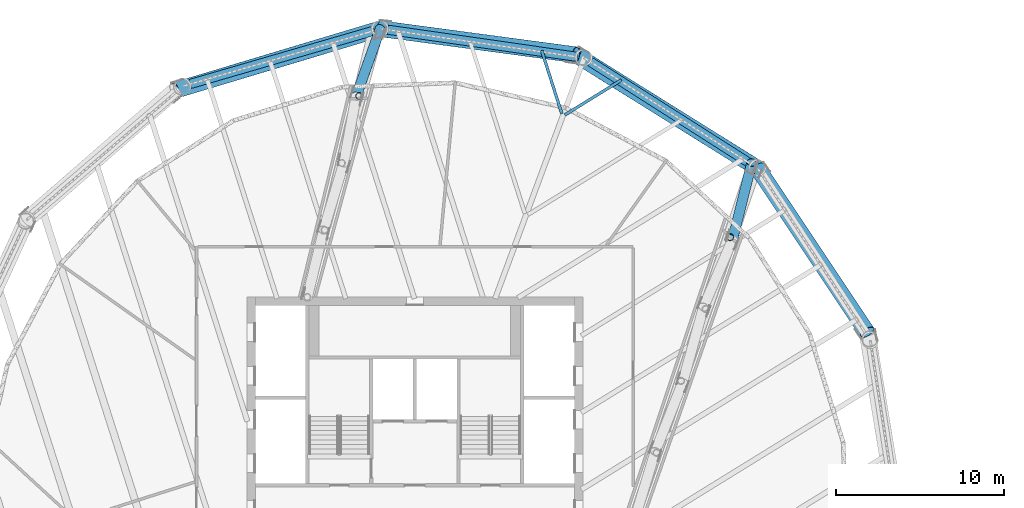
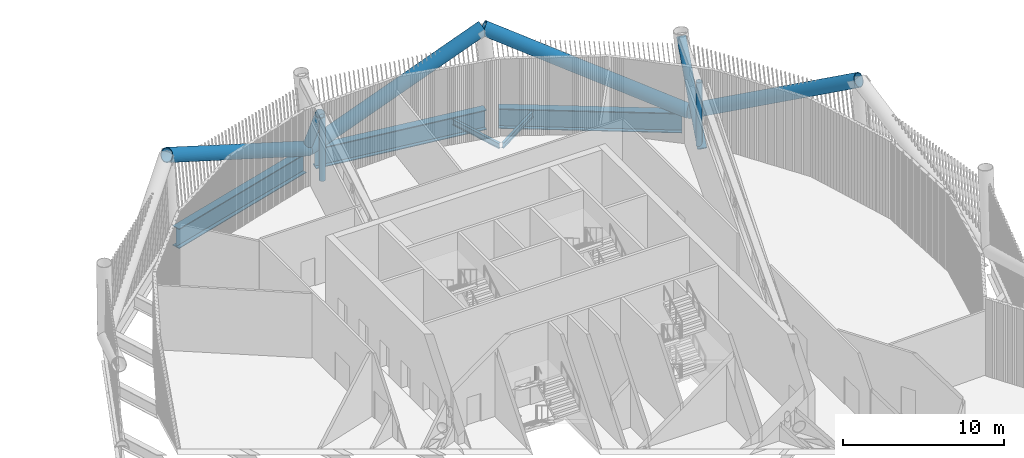
# One storey, part 11 of 40: 8 members, 5 beams.
"""IFC4 building model written with IfcOpenShell, lengths in metres."""

import ifcopenshell
import ifcopenshell.guid

model = None  # the IFC model being written
_history = None  # IfcOwnerHistory: only IFC2X3 demands one
_inside = {}  # id of a spatial element -> (the spatial element, [elements in it])
_under = {}  # id of a project, library or spatial element -> (it, [spatial elements below it])
_declared = {}  # id of a project -> (the project, [libraries it declares])
_typed = {}  # id of a type object -> (the type object, [elements of that type])
_made_of = {}  # id of a material, layer set ... -> (it, [elements and type objects made of it])


def new_model(schema):
    """Start an empty IFC model of exactly this schema.

    Asked for "IFC4X3", IfcOpenShell would pick the latest addendum, in which some entities
    have other attributes; the version numbers below select the first issue.
    IFC2X3 requires an IfcOwnerHistory on every rooted entity: one is made here for all.
    """
    global model, _history
    if schema == "IFC4X3":
        model = ifcopenshell.file(schema_version=(4, 3, 0, 0))
    else:
        model = ifcopenshell.file(schema=schema)
    _inside.clear()
    _under.clear()
    _declared.clear()
    _typed.clear()
    _made_of.clear()
    _history = None
    if model.schema == "IFC2X3":
        org = make("IfcOrganization", Name="unknown")
        user = make(
            "IfcPersonAndOrganization",
            ThePerson=make("IfcPerson", FamilyName="unknown"),
            TheOrganization=org,
        )
        app = make(
            "IfcApplication",
            ApplicationDeveloper=org,
            Version="unknown",
            ApplicationFullName="unknown",
            ApplicationIdentifier="unknown",
        )
        _history = make(
            "IfcOwnerHistory",
            OwningUser=user,
            OwningApplication=app,
            ChangeAction="ADDED",
            CreationDate=0,
        )
    return model


def make(cls, **values):
    """One entity of the class cls with the attributes given. An attribute that is None is left unset."""
    return model.create_entity(
        cls, **{name: value for name, value in values.items() if value is not None}
    )


def rooted(cls, **values):
    """An entity with a GlobalId (a new one), such as an element, a storey or a relation."""
    return make(cls, GlobalId=ifcopenshell.guid.new(), OwnerHistory=_history, **values)


def si_unit(unit_type, name, prefix=None):
    """IfcSIUnit, for example si_unit("LENGTHUNIT", "METRE", prefix="MILLI")."""
    return make("IfcSIUnit", UnitType=unit_type, Prefix=prefix, Name=name)


def assignment(units):
    """IfcUnitAssignment: the units of a project."""
    return None if units is None else make("IfcUnitAssignment", Units=units)


def point(xyz):
    """IfcCartesianPoint."""
    return None if xyz is None else make("IfcCartesianPoint", Coordinates=xyz)


def direction(xyz):
    """IfcDirection."""
    return None if xyz is None else make("IfcDirection", DirectionRatios=xyz)


def frame(location, z_axis=None, x_axis=None):
    """IfcAxis2Placement3D, a coordinate frame: its origin and axes. An axis left out is left unset."""
    return make(
        "IfcAxis2Placement3D",
        Location=point(location),
        Axis=direction(z_axis),
        RefDirection=direction(x_axis),
    )


def frame_2d(location, x_axis=None):
    """IfcAxis2Placement2D, a coordinate frame in the plane: its origin and x axis."""
    return make(
        "IfcAxis2Placement2D", Location=point(location), RefDirection=direction(x_axis)
    )


def origin():
    """The frame at (0, 0, 0) with its axes left unset."""
    return frame((0.0, 0.0, 0.0))


def origin_2d():
    """The frame at (0, 0) in the plane with its x axis left unset."""
    return frame_2d((0.0, 0.0))


def place(relative_to, where):
    """IfcLocalPlacement: puts the frame where relative to a parent placement (None: the world)."""
    return make(
        "IfcLocalPlacement", PlacementRelTo=relative_to, RelativePlacement=where
    )


def context(
    kind, dimensions, precision=None, world=None, true_north=None, identifier=None
):
    """IfcGeometricRepresentationContext, for example the 3D "Model" context."""
    return make(
        "IfcGeometricRepresentationContext",
        ContextIdentifier=identifier,
        ContextType=kind,
        CoordinateSpaceDimension=dimensions,
        Precision=precision,
        WorldCoordinateSystem=world,
        TrueNorth=true_north,
    )


def subcontext(parent, identifier, kind, view, scale=None):
    """IfcGeometricRepresentationSubContext, for example "Body" below "Model"."""
    return make(
        "IfcGeometricRepresentationSubContext",
        ContextIdentifier=identifier,
        ContextType=kind,
        ParentContext=parent,
        TargetScale=scale,
        TargetView=view,
    )


def project(units=None, contexts=None):
    """IfcProject with its units and contexts."""
    return rooted(
        "IfcProject",
        Name="project",
        RepresentationContexts=contexts,
        UnitsInContext=assignment(units),
    )


def spatial(cls, under=None, at=None, **own):
    """A site, building, storey or space (cls), placed at a placement, below another one or the project."""
    s = rooted(cls, ObjectPlacement=at, **own)
    if under is not None:
        _under.setdefault(under.id(), (under, []))[1].append(s)
    return s


def profile(cls, at=None, kind="AREA", **sizes):
    """A parametric profile (cls). Its sizes go by their IFC names, for example OverallWidth=200.0."""
    return make(cls, ProfileType=kind, Position=at, **sizes)


def hollow_circle(**sizes):
    """IfcCircleHollowProfileDef."""
    return profile("IfcCircleHollowProfileDef", **sizes)


def i_section(**sizes):
    """IfcIShapeProfileDef."""
    return profile("IfcIShapeProfileDef", **sizes)


def extrude(swept, where, along, depth):
    """IfcExtrudedAreaSolid: the profile swept, set in the frame where, extruded along a direction by depth."""
    return make(
        "IfcExtrudedAreaSolid",
        SweptArea=swept,
        Position=where,
        ExtrudedDirection=direction(along),
        Depth=depth,
    )


def shape(context_of_items, identifier, shape_type, items):
    """IfcShapeRepresentation: the items that make up one representation, for example the "Body"."""
    return make(
        "IfcShapeRepresentation",
        ContextOfItems=context_of_items,
        RepresentationIdentifier=identifier,
        RepresentationType=shape_type,
        Items=items,
    )


def material(Name=None, Category=None):
    """IfcMaterial."""
    return make("IfcMaterial", Name=Name, Category=Category)


def material_profile(
    of_material, cross_section, Name=None, Category=None, Priority=None
):
    """IfcMaterialProfile: a cross section and its material."""
    return make(
        "IfcMaterialProfile",
        Name=Name,
        Material=of_material,
        Profile=cross_section,
        Priority=Priority,
        Category=Category,
    )


def profile_set(profiles, Name=None, composite=None):
    """IfcMaterialProfileSet."""
    return make(
        "IfcMaterialProfileSet",
        Name=Name,
        MaterialProfiles=profiles,
        CompositeProfile=composite,
    )


def made_of(thing, what):
    """Note that an element or type object is made of a material, layer set ...; save() writes the relation."""
    if what is not None:
        _made_of.setdefault(what.id(), (what, []))[1].append(thing)
    return thing


def type_object(cls, material=None, **own):
    """A type object (cls), such as IfcWallType, which elements share."""
    return made_of(rooted(cls, **own), material)


def element(
    cls,
    number,
    at=None,
    inside=None,
    cuts=None,
    type_object=None,
    material=None,
    context=None,
    identifier="Body",
    shape_type=None,
    held_by="IfcProductDefinitionShape",
    body=None,
    shapes=None,
    **own,
):
    """One element of the class cls, such as IfcWall. Its Tag is "e" and its number.

    at: its placement. inside: the storey or other place that contains it. cuts: it is an
    opening in that element (IfcRelVoidsElement). A single representation is given by context,
    identifier, shape_type and body (its items); several are given by shapes. held_by: the class
    of the entity that holds the representations. save() writes the other relations.
    """
    e = rooted(cls, Tag="e%d" % number, ObjectPlacement=at, **own)
    if body is not None:
        shapes = [shape(context, identifier, shape_type, body)]
    if shapes is not None:
        e.Representation = make(held_by, Representations=shapes)
    if inside is not None:
        _inside.setdefault(inside.id(), (inside, []))[1].append(e)
    if cuts is not None:
        rooted(
            "IfcRelVoidsElement", RelatingBuildingElement=cuts, RelatedOpeningElement=e
        )
    if type_object is not None:
        _typed.setdefault(type_object.id(), (type_object, []))[1].append(e)
    return made_of(e, material)


def aggregate(whole, parts):
    """IfcRelAggregates: a whole, such as a stair, and the parts it consists of."""
    return rooted("IfcRelAggregates", RelatingObject=whole, RelatedObjects=parts)


def save(model, path):
    """Write the relations noted so far, then the file.

    IfcRelAggregates (storeys below a building ...), IfcRelContainedInSpatialStructure (elements
    in a storey), IfcRelDefinesByType, IfcRelAssociatesMaterial and IfcRelDeclares: one each for
    every whole, place, type object, material and project.
    """
    for whole, parts in _under.values():
        aggregate(whole, parts)
    for where, things in _inside.values():
        rooted(
            "IfcRelContainedInSpatialStructure",
            RelatedElements=things,
            RelatingStructure=where,
        )
    for kind, things in _typed.values():
        rooted("IfcRelDefinesByType", RelatedObjects=things, RelatingType=kind)
    for what, things in _made_of.values():
        rooted("IfcRelAssociatesMaterial", RelatedObjects=things, RelatingMaterial=what)
    for by, libraries in _declared.values():
        rooted("IfcRelDeclares", RelatingContext=by, RelatedDefinitions=libraries)
    model.write(path)


model = new_model("IFC4")

# Units and contexts
model_context = context("Model", 3, precision=1e-05, world=origin(), true_north=direction((0.0, 1.0)))
body_context = subcontext(model_context, "Body", "Model", "MODEL_VIEW")
ifc_project = project(units=[si_unit("LENGTHUNIT", "METRE"), si_unit("AREAUNIT", "SQUARE_METRE"), si_unit("VOLUMEUNIT", "CUBIC_METRE"), si_unit("PLANEANGLEUNIT", "RADIAN"), si_unit("MASSUNIT", "GRAM", prefix="KILO")], contexts=[model_context])

# Site, building, storey
site_placement = place(None, origin())
site = spatial("IfcSite", under=ifc_project, at=site_placement, CompositionType="ELEMENT")
building_placement = place(site_placement, origin())
building = spatial("IfcBuilding", under=site, at=building_placement, Name="Tarsis Ring Headquarters", CompositionType="ELEMENT")
storey_placement = place(building_placement, frame((0.0, 0.0, 354.800048828125)))
storey = spatial("IfcBuildingStorey", under=building, at=storey_placement, Name="L84", CompositionType="ELEMENT", Elevation=354.800048828125)

# Beams
ifc_material = material(Name="Structural steel S355", Category="steel")
ifc_material_profile_1 = material_profile(ifc_material, i_section(OverallWidth=0.177734375, OverallDepth=0.406494140625, WebThickness=0.0078125, FlangeThickness=0.0126953125, at=origin_2d()), Name="W16x40")
ifc_profile_set_1 = profile_set([ifc_material_profile_1], Name="Structural steel S355")
beam_type_1 = type_object("IfcBeamType", Name="FB Floor beam W16x40", PredefinedType="JOIST", material=ifc_profile_set_1)
for number, where, z_axis, x_axis, name in (
    (1, (8.92822265625, 23.84130859375, -0.503173828125), (0.850997329069, 0.525170016201, 0.0), (-0.525170016201, 0.850997329069, 0.0), "Floor beam FB1"),
    (2, (7.55029296875, 27.679931640625, -0.503173828125), (0.303699742134, -0.952767792606, 0.0), (0.952767792606, 0.303699742134, 0.0), "Floor beam FB1"),
):
    element("IfcBeam", number, at=place(storey_placement, frame(where, z_axis=z_axis, x_axis=x_axis)), inside=storey, type_object=beam_type_1, Name=name, PredefinedType="JOIST", context=body_context, shape_type="SweptSolid", body=[
        extrude(i_section(OverallWidth=0.177734375, OverallDepth=0.406494140625, WebThickness=0.0078125, FlangeThickness=0.0126953125, at=origin_2d()), origin(), (0.0, 0.0, 1.0), 3.960693359375),
    ])

# Members
ifc_material_profile_2 = material_profile(ifc_material, hollow_circle(Radius=0.3046875, WallThickness=0.02490234375, at=origin_2d()), Name="CHS 610x25")
ifc_profile_set_2 = profile_set([ifc_material_profile_2], Name="Structural steel S355")
member_type_1 = type_object("IfcMemberType", Name="OD Outrigger diagonal CHS 610x25", PredefinedType="BRACE", material=ifc_profile_set_2)
member_1_placement = place(storey_placement, frame((18.9169921875, 16.4228515625, 0.25390625), z_axis=(0.161446542749, 0.643043979188, 0.748618363831), x_axis=(-0.969898716226, 0.243508686217, 0.0)))
element("IfcMember", 3, at=member_1_placement, inside=storey, type_object=member_type_1, Name="Outrigger diagonal OD1", PredefinedType="BRACE", context=body_context, shape_type="SweptSolid", body=[
    extrude(hollow_circle(Radius=0.3046875, WallThickness=0.02490234375, at=origin_2d()), origin(), (0.0, 0.0, 1.0), 7.12255859375),
])
member_2_placement = place(storey_placement, frame((-3.495361328125, 24.95361328125, 5.5859375), z_axis=(0.210115088697, 0.58870823967, -0.780560220641), x_axis=(-0.941811744959, 0.336140799454, 0.0)))
element("IfcMember", 4, at=member_2_placement, inside=storey, type_object=member_type_1, Name="Outrigger diagonal OD1", PredefinedType="BRACE", context=body_context, shape_type="SweptSolid", body=[
    extrude(hollow_circle(Radius=0.3046875, WallThickness=0.02490234375, at=origin_2d()), origin(), (0.0, 0.0, 1.0), 6.8310546875),
])
ifc_material_profile_3 = material_profile(ifc_material, hollow_circle(Radius=0.203125, WallThickness=0.01611328125, at=origin_2d()), Name="CHS 406x16")
ifc_profile_set_3 = profile_set([ifc_material_profile_3], Name="Structural steel S355")
member_type_2 = type_object("IfcMemberType", Name="OV Outrigger post CHS 406x16", PredefinedType="STRUT", material=ifc_profile_set_3)
for number, where, z_axis, x_axis, name in (
    (5, (18.772705078125, 16.562744140625, 0.508056640625), (0.0, 0.0, 1.0), (1.0, 0.0, 0.0), "Outrigger post OV1"),
    (6, (-3.320068359375, 24.967529296875, 0.508056640625), (0.0, 0.0, 1.0), (1.0, 0.0, 0.0), "Outrigger post OV1"),
):
    element("IfcMember", number, at=place(storey_placement, frame(where, z_axis=z_axis, x_axis=x_axis)), inside=storey, type_object=member_type_2, Name=name, PredefinedType="STRUT", context=body_context, shape_type="SweptSolid", body=[
        extrude(hollow_circle(Radius=0.203125, WallThickness=0.01611328125, at=origin_2d()), origin(), (0.0, 0.0, 1.0), 4.823974609375),
    ])
ifc_material_profile_4 = material_profile(ifc_material, hollow_circle(Radius=0.482666015625, WallThickness=0.0400390625, at=origin_2d()), Name="CHS 965x40")
ifc_profile_set_4 = profile_set([ifc_material_profile_4], Name="Structural steel S355")
member_type_3 = type_object("IfcMemberType", Name="TD Belt truss diagonal CHS 965x40", PredefinedType="BRACE", material=ifc_profile_set_4)
member_3_placement = place(storey_placement, frame((20.4189453125, 20.6611328125, 0.0), z_axis=(0.49382931583, -0.740836603793, 0.455295215555), x_axis=(0.832082304921, 0.554652177348, 0.0)))
element("IfcMember", 7, at=member_3_placement, inside=storey, type_object=member_type_3, Name="Belt truss diagonal TD7", PredefinedType="BRACE", context=body_context, shape_type="SweptSolid", body=[
    extrude(hollow_circle(Radius=0.482666015625, WallThickness=0.0400390625, at=origin_2d()), origin(), (0.0, 0.0, 1.0), 13.17822265625),
])
member_4_placement = place(storey_placement, frame((20.4189453125, 20.6611328125, 0.0), z_axis=(-0.767719914082, 0.479188786057, 0.425422426347), x_axis=(-0.529493358408, -0.848314082992, 0.0)))
element("IfcMember", 8, at=member_4_placement, inside=storey, type_object=member_type_3, Name="Belt truss diagonal TD7", PredefinedType="BRACE", context=body_context, shape_type="SweptSolid", body=[
    extrude(hollow_circle(Radius=0.482666015625, WallThickness=0.0400390625, at=origin_2d()), origin(), (0.0, 0.0, 1.0), 14.103515625),
])
member_5_placement = place(storey_placement, frame((-2.03759765625, 28.97705078125, 0.0), z_axis=(0.882453707668, -0.118198997626, 0.455306985213), x_axis=(0.132757964101, 0.991148486841, 0.0)))
element("IfcMember", 9, at=member_5_placement, inside=storey, type_object=member_type_3, Name="Belt truss diagonal TD7", PredefinedType="BRACE", context=body_context, shape_type="SweptSolid", body=[
    extrude(hollow_circle(Radius=0.482666015625, WallThickness=0.0400390625, at=origin_2d()), origin(), (0.0, 0.0, 1.0), 13.177978515625),
])
member_6_placement = place(storey_placement, frame((-2.03759765625, 28.97705078125, 0.0), z_axis=(-0.866761295334, -0.260277656907, 0.425417910092), x_axis=(0.287600568686, -0.957750443952, 0.0)))
element("IfcMember", 10, at=member_6_placement, inside=storey, type_object=member_type_3, Name="Belt truss diagonal TD7", PredefinedType="BRACE", context=body_context, shape_type="SweptSolid", body=[
    extrude(hollow_circle(Radius=0.482666015625, WallThickness=0.0400390625, at=origin_2d()), origin(), (0.0, 0.0, 1.0), 14.103759765625),
])

# Beams
ifc_material_profile_5 = material_profile(ifc_material, i_section(OverallWidth=0.550048828125, OverallDepth=1.5, WebThickness=0.030029296875, FlangeThickness=0.050048828125, at=origin_2d()), Name="PG 1500x550x30x50")
ifc_profile_set_5 = profile_set([ifc_material_profile_5], Name="Structural steel S355")
beam_type_2 = type_object("IfcBeamType", Name="XG Ring girder PG 1500x550x30x50", PredefinedType="BEAM", material=ifc_profile_set_5)
for number, where, z_axis, x_axis, name in (
    (11, (20.052734375, 20.894287109375, -0.75), (-0.843475930184, 0.537166971434, 0.0), (-0.537166971434, -0.843475930184, 0.0), "Ring girder XG6"),
    (12, (9.657470703125, 27.30224609375, -0.75), (-0.989903531186, 0.14174272096, 0.0), (-0.14174272096, -0.989903531186, 0.0), "Ring girder XG6"),
    (13, (-2.454833984375, 28.855712890625, -0.75), (-0.960328992395, -0.278869550803, 0.0), (0.278869550803, -0.960328992395, 0.0), "Ring girder XG6"),
):
    element("IfcBeam", number, at=place(storey_placement, frame(where, z_axis=z_axis, x_axis=x_axis)), inside=storey, type_object=beam_type_2, Name=name, PredefinedType="BEAM", context=body_context, shape_type="SweptSolid", body=[
        extrude(i_section(OverallWidth=0.550048828125, OverallDepth=1.5, WebThickness=0.030029296875, FlangeThickness=0.050048828125, at=origin_2d()), origin(), (0.0, 0.0, 1.0), 11.380126953125),
    ])

save(model, "model.ifc")
